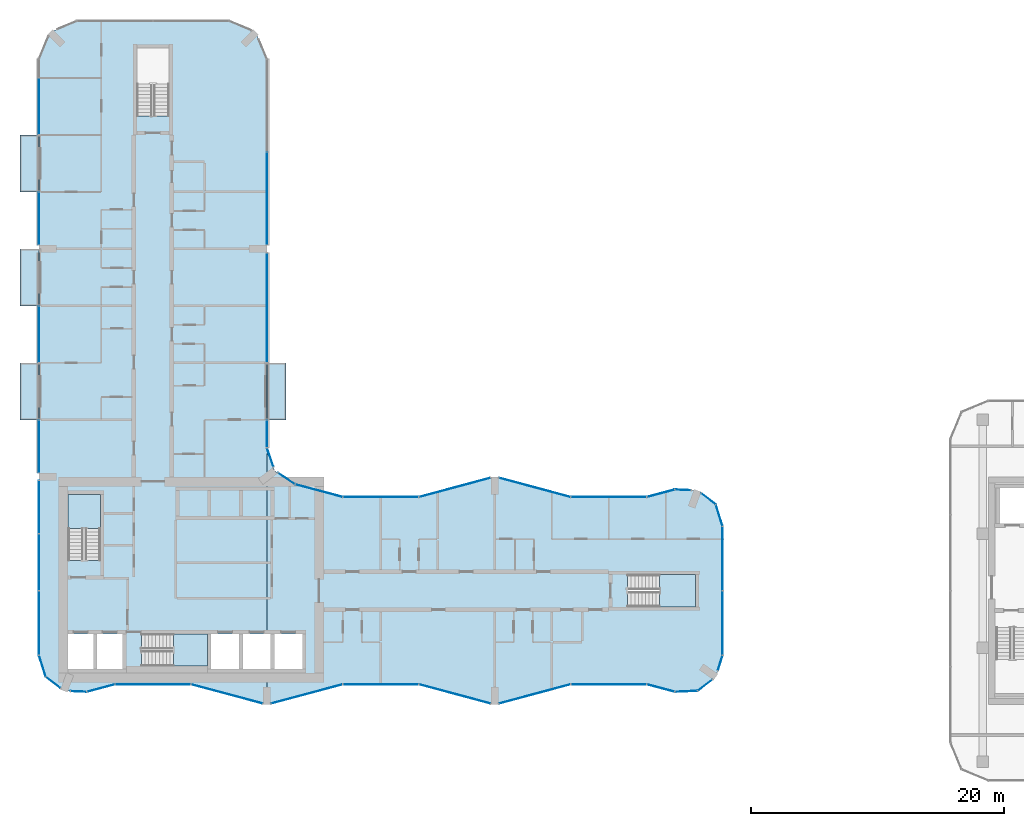
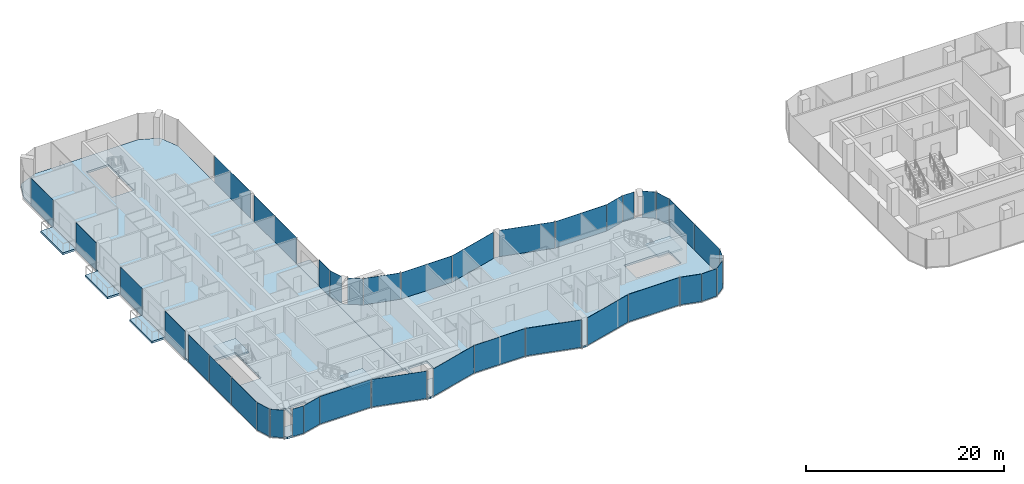
# One storey, part 11 of 22: 38 plates, 9 slabs, 38 elements without a shape of their own.
"""IFC4 building model written with IfcOpenShell, lengths in metres."""

from ifc_helpers import new_model, si_unit, direction, frame, origin, origin_2d, place, context, subcontext, project, spatial, polyline, rectangle, outline, extrude, material, layer, layer_set, type_object, element, aggregate, save


model = new_model("IFC4")

# Units and contexts
model_context = context("Model", 3, precision=1e-05, world=origin(), true_north=direction((0.0, 1.0)))
body_context = subcontext(model_context, "Body", "Model", "MODEL_VIEW")
ifc_project = project(units=[si_unit("LENGTHUNIT", "METRE"), si_unit("AREAUNIT", "SQUARE_METRE"), si_unit("VOLUMEUNIT", "CUBIC_METRE"), si_unit("PLANEANGLEUNIT", "RADIAN"), si_unit("MASSUNIT", "GRAM", prefix="KILO")], contexts=[model_context])

# Site, building, storey
site_placement = place(None, origin())
site = spatial("IfcSite", under=ifc_project, at=site_placement, CompositionType="ELEMENT")
building_placement = place(site_placement, origin())
building = spatial("IfcBuilding", under=site, at=building_placement, Name="Plateau Cross Towers", CompositionType="ELEMENT")
storey_placement = place(building_placement, frame((0.0, 0.0, 58.300048828125)))
storey = spatial("IfcBuildingStorey", under=building, at=storey_placement, Name="L14", CompositionType="ELEMENT", Elevation=58.300048828125)

# Slabs
ifc_material_1 = material(Name="Concrete C40/50", Category="concrete")
ifc_layer_1 = layer(ifc_material_1, 0.25)
ifc_layer_set_1 = layer_set([ifc_layer_1], Name="Concrete C40/50")
slab_type_1 = type_object("IfcSlabType", Name="Balcony slab 250", PredefinedType="FLOOR", material=ifc_layer_set_1)
slab_1_placement = place(storey_placement, frame((0.0, 0.0, -0.25)))
element("IfcSlab", 1, at=slab_1_placement, inside=storey, type_object=slab_type_1, Name="Balcony slab A-BAL-L14-01", PredefinedType="FLOOR", context=body_context, shape_type="SweptSolid", body=[
    extrude(outline(polyline([(0.0, 22.5), (0.0, 27.0), (-1.5, 27.0), (-1.5, 22.5), (0.0, 22.5)])), origin(), (0.0, 0.0, 1.0), 0.25),
])
slab_2_placement = place(storey_placement, frame((0.0, 0.0, -0.25)))
element("IfcSlab", 2, at=slab_2_placement, inside=storey, type_object=slab_type_1, Name="Balcony slab A-BAL-L14-02", PredefinedType="FLOOR", context=body_context, shape_type="SweptSolid", body=[
    extrude(outline(polyline([(0.0, 31.5), (0.0, 36.0), (-1.5, 36.0), (-1.5, 31.5), (0.0, 31.5)])), origin(), (0.0, 0.0, 1.0), 0.25),
])
slab_3_placement = place(storey_placement, frame((0.0, 0.0, -0.25)))
element("IfcSlab", 3, at=slab_3_placement, inside=storey, type_object=slab_type_1, Name="Balcony slab A-BAL-L14-03", PredefinedType="FLOOR", context=body_context, shape_type="SweptSolid", body=[
    extrude(outline(polyline([(0.0, 40.5), (0.0, 45.0), (-1.5, 45.0), (-1.5, 40.5), (0.0, 40.5)])), origin(), (0.0, 0.0, 1.0), 0.25),
])
slab_4_placement = place(storey_placement, frame((0.0, 0.0, -0.25)))
element("IfcSlab", 4, at=slab_4_placement, inside=storey, type_object=slab_type_1, Name="Balcony slab A-BAL-L14-04", PredefinedType="FLOOR", context=body_context, shape_type="SweptSolid", body=[
    extrude(outline(polyline([(19.5, 22.5), (19.5, 27.0), (18.0, 27.0), (18.0, 22.5), (19.5, 22.5)])), origin(), (0.0, 0.0, 1.0), 0.25),
])

# Curtain wall, plate
ifc_material_2 = material(Name="Dark low-iron glass", Category="glass")
ifc_layer_2 = layer(ifc_material_2, 0.239990234375)
ifc_layer_set_2 = layer_set([ifc_layer_2], Name="Dark low-iron glass")
curtain_wall_type_1 = type_object("IfcCurtainWallType", Name="Curtain wall flush unitised CW-B", PredefinedType="NOTDEFINED", material=ifc_layer_set_2)
curtain_wall_1_placement = place(storey_placement, origin())
curtain_wall_1 = element("IfcCurtainWall", 5, at=curtain_wall_1_placement, inside=storey, type_object=curtain_wall_type_1, Name="ENV/A/L14/A502_10", PredefinedType="NOTDEFINED")
ifc_layer_3 = layer(ifc_material_2, 0.031982421875)
ifc_layer_set_3 = layer_set([ifc_layer_3], Name="Dark low-iron glass")
plate_type_1 = type_object("IfcPlateType", Name="Glass panel 32 flush unitised", PredefinedType="CURTAIN_PANEL", material=ifc_layer_set_3)
plate_1_placement = place(storey_placement, frame((51.125, 1.05078125, -0.1298828125), z_axis=(0.0, 0.0, 1.0), x_axis=(0.999043701491, 0.043722791671, 0.0)))
plate_1 = element("IfcPlate", 6, at=plate_1_placement, type_object=plate_type_1, Name="CW-B panel 1", PredefinedType="CURTAIN_PANEL", context=body_context, shape_type="SweptSolid", body=[
    extrude(rectangle(XDim=1.744140625, YDim=0.031982421875, at=origin_2d()), origin(), (0.0, 0.0, 1.0), 3.3798828125),
])
aggregate(curtain_wall_1, [plate_1])

curtain_wall_2_placement = place(storey_placement, origin())
curtain_wall_2 = element("IfcCurtainWall", 7, at=curtain_wall_2_placement, inside=storey, type_object=curtain_wall_type_1, Name="ENV/A/L14/A520_11", PredefinedType="NOTDEFINED")
plate_2_placement = place(storey_placement, frame((52.60986328125, 1.5380859375, -0.1298828125), z_axis=(0.0, 0.0, 1.0), x_axis=(0.793315514529, 0.608810721331, 0.0)))
plate_2 = element("IfcPlate", 8, at=plate_2_placement, type_object=plate_type_1, Name="CW-B panel 1", PredefinedType="CURTAIN_PANEL", context=body_context, shape_type="SweptSolid", body=[
    extrude(rectangle(XDim=1.41162109375, YDim=0.031982421875, at=origin_2d()), origin(), (0.0, 0.0, 1.0), 3.3798828125),
])
aggregate(curtain_wall_2, [plate_2])

curtain_wall_3_placement = place(storey_placement, origin())
curtain_wall_3 = element("IfcCurtainWall", 9, at=curtain_wall_3_placement, inside=storey, type_object=curtain_wall_type_1, Name="ENV/A/L14/A536_27", PredefinedType="NOTDEFINED")
plate_3_placement = place(storey_placement, frame((53.805419921875, 3.292236328125, -0.1298828125), z_axis=(0.0, 0.0, 1.0), x_axis=(0.300686174994, 0.95372313811, 0.0)))
plate_3 = element("IfcPlate", 10, at=plate_3_placement, type_object=plate_type_1, Name="CW-B panel 1", PredefinedType="CURTAIN_PANEL", context=body_context, shape_type="SweptSolid", body=[
    extrude(rectangle(XDim=1.233642578125, YDim=0.031982421875, at=origin_2d()), origin(), (0.0, 0.0, 1.0), 3.3798828125),
])
aggregate(curtain_wall_3, [plate_3])

# Curtain wall, plates
curtain_wall_4_placement = place(storey_placement, origin())
curtain_wall_4 = element("IfcCurtainWall", 11, at=curtain_wall_4_placement, inside=storey, type_object=curtain_wall_type_1, Name="ENV/A/L14/A540_39", PredefinedType="NOTDEFINED")
plate_4_placement = place(storey_placement, frame((54.0, 6.45458984375, -0.1298828125), z_axis=(0.0, 0.0, 1.0), x_axis=(0.0, 1.0, 0.0)))
plate_4 = element("IfcPlate", 12, at=plate_4_placement, type_object=plate_type_1, Name="CW-B panel 1", PredefinedType="CURTAIN_PANEL", context=body_context, shape_type="SweptSolid", body=[
    extrude(rectangle(XDim=5.03076171875, YDim=0.031982421875, at=origin_2d()), origin(), (0.0, 0.0, 1.0), 3.3798828125),
])
plate_5_placement = place(storey_placement, frame((54.0, 11.54541015625, -0.1298828125), z_axis=(0.0, 0.0, 1.0), x_axis=(0.0, 1.0, 0.0)))
plate_5 = element("IfcPlate", 13, at=plate_5_placement, type_object=plate_type_1, Name="CW-B panel 2", PredefinedType="CURTAIN_PANEL", context=body_context, shape_type="SweptSolid", body=[
    extrude(rectangle(XDim=5.03076171875, YDim=0.031982421875, at=origin_2d()), origin(), (0.0, 0.0, 1.0), 3.3798828125),
])
aggregate(curtain_wall_4, [plate_4, plate_5])

# Curtain wall, plate
curtain_wall_5_placement = place(storey_placement, origin())
curtain_wall_5 = element("IfcCurtainWall", 14, at=curtain_wall_5_placement, inside=storey, type_object=curtain_wall_type_1, Name="ENV/A/L14/A540_141", PredefinedType="NOTDEFINED")
plate_6_placement = place(storey_placement, frame((53.728759765625, 14.951171875, -0.1298828125), z_axis=(0.0, 0.0, 1.0), x_axis=(-0.300686174994, 0.95372313811, 0.0)))
plate_6 = element("IfcPlate", 15, at=plate_6_placement, type_object=plate_type_1, Name="CW-B panel 1", PredefinedType="CURTAIN_PANEL", context=body_context, shape_type="SweptSolid", body=[
    extrude(rectangle(XDim=1.744140625, YDim=0.031982421875, at=origin_2d()), origin(), (0.0, 0.0, 1.0), 3.3798828125),
])
aggregate(curtain_wall_5, [plate_6])

curtain_wall_6_placement = place(storey_placement, origin())
curtain_wall_6 = element("IfcCurtainWall", 16, at=curtain_wall_6_placement, inside=storey, type_object=curtain_wall_type_1, Name="ENV/A/L14/A535_158", PredefinedType="NOTDEFINED")
plate_7_placement = place(storey_placement, frame((52.873779296875, 16.25927734375, -0.1298828125), z_axis=(0.0, 0.0, 1.0), x_axis=(-0.793315514529, 0.608810721331, 0.0)))
plate_7 = element("IfcPlate", 17, at=plate_7_placement, type_object=plate_type_1, Name="CW-B panel 1", PredefinedType="CURTAIN_PANEL", context=body_context, shape_type="SweptSolid", body=[
    extrude(rectangle(XDim=1.41162109375, YDim=0.031982421875, at=origin_2d()), origin(), (0.0, 0.0, 1.0), 3.3798828125),
])
aggregate(curtain_wall_6, [plate_7])

curtain_wall_7_placement = place(storey_placement, origin())
curtain_wall_7 = element("IfcCurtainWall", 18, at=curtain_wall_7_placement, inside=storey, type_object=curtain_wall_type_1, Name="ENV/A/L14/A515_169", PredefinedType="NOTDEFINED")
plate_8_placement = place(storey_placement, frame((50.8701171875, 16.96044921875, -0.1298828125), z_axis=(0.0, 0.0, 1.0), x_axis=(-0.999043701491, 0.043722791671, 0.0)))
plate_8 = element("IfcPlate", 19, at=plate_8_placement, type_object=plate_type_1, Name="CW-B panel 1", PredefinedType="CURTAIN_PANEL", context=body_context, shape_type="SweptSolid", body=[
    extrude(rectangle(XDim=1.233642578125, YDim=0.031982421875, at=origin_2d()), origin(), (0.0, 0.0, 1.0), 3.3798828125),
])
aggregate(curtain_wall_7, [plate_8])

curtain_wall_8_placement = place(storey_placement, origin())
curtain_wall_8 = element("IfcCurtainWall", 20, at=curtain_wall_8_placement, inside=storey, type_object=curtain_wall_type_1, Name="ENV/A/L14/A202_174", PredefinedType="NOTDEFINED")
plate_9_placement = place(storey_placement, frame((19.546630859375, 17.856689453125, -0.1298828125), z_axis=(0.0, 0.0, 1.0), x_axis=(-0.831521253329, 0.555492938984, 0.0)))
plate_9 = element("IfcPlate", 21, at=plate_9_placement, type_object=plate_type_1, Name="CW-B panel 1", PredefinedType="CURTAIN_PANEL", context=body_context, shape_type="SweptSolid", body=[
    extrude(rectangle(XDim=1.56884765625, YDim=0.031982421875, at=origin_2d()), origin(), (0.0, 0.0, 1.0), 3.3798828125),
])
aggregate(curtain_wall_8, [plate_9])

curtain_wall_9_placement = place(storey_placement, origin())
curtain_wall_9 = element("IfcCurtainWall", 22, at=curtain_wall_9_placement, inside=storey, type_object=curtain_wall_type_1, Name="ENV/A/L14/A185_188", PredefinedType="NOTDEFINED")
plate_10_placement = place(storey_placement, frame((18.26171875, 19.531005859375, -0.1298828125), z_axis=(0.0, 0.0, 1.0), x_axis=(-0.321469161574, 0.94692004845, 0.0)))
plate_10 = element("IfcPlate", 23, at=plate_10_placement, type_object=plate_type_1, Name="CW-B panel 1", PredefinedType="CURTAIN_PANEL", context=body_context, shape_type="SweptSolid", body=[
    extrude(rectangle(XDim=1.56884765625, YDim=0.031982421875, at=origin_2d()), origin(), (0.0, 0.0, 1.0), 3.3798828125),
])
aggregate(curtain_wall_9, [plate_10])

curtain_wall_10_placement = place(storey_placement, origin())
curtain_wall_10 = element("IfcCurtainWall", 24, at=curtain_wall_10_placement, inside=storey, type_object=curtain_wall_type_1, Name="ENV/A/L14/A180_203", PredefinedType="NOTDEFINED")
plate_11_placement = place(storey_placement, frame((18.0, 21.396240234375, -0.1298828125), z_axis=(0.0, 0.0, 1.0), x_axis=(0.0, 1.0, 0.0)))
plate_11 = element("IfcPlate", 25, at=plate_11_placement, type_object=plate_type_1, Name="CW-B panel 1", PredefinedType="CURTAIN_PANEL", context=body_context, shape_type="SweptSolid", body=[
    extrude(rectangle(XDim=2.127685546875, YDim=0.031982421875, at=origin_2d()), origin(), (0.0, 0.0, 1.0), 3.3798828125),
])
aggregate(curtain_wall_10, [plate_11])

curtain_wall_11_placement = place(storey_placement, origin())
curtain_wall_11 = element("IfcCurtainWall", 26, at=curtain_wall_11_placement, inside=storey, type_object=curtain_wall_type_1, Name="ENV/A/L14/A180_270", PredefinedType="NOTDEFINED")
plate_12_placement = place(storey_placement, frame((18.0, 31.35498046875, -0.1298828125), z_axis=(0.0, 0.0, 1.0), x_axis=(0.0, 1.0, 0.0)))
plate_12 = element("IfcPlate", 27, at=plate_12_placement, type_object=plate_type_1, Name="CW-B panel 1", PredefinedType="CURTAIN_PANEL", context=body_context, shape_type="SweptSolid", body=[
    extrude(rectangle(XDim=8.6298828125, YDim=0.031982421875, at=origin_2d()), origin(), (0.0, 0.0, 1.0), 3.3798828125),
])
aggregate(curtain_wall_11, [plate_12])

curtain_wall_12_placement = place(storey_placement, origin())
curtain_wall_12 = element("IfcCurtainWall", 28, at=curtain_wall_12_placement, inside=storey, type_object=curtain_wall_type_1, Name="ENV/A/L14/A180_363", PredefinedType="NOTDEFINED")
plate_13_placement = place(storey_placement, frame((18.0, 39.97509765625, -0.1298828125), z_axis=(0.0, 0.0, 1.0), x_axis=(0.0, 1.0, 0.0)))
plate_13 = element("IfcPlate", 29, at=plate_13_placement, type_object=plate_type_1, Name="CW-B panel 1", PredefinedType="CURTAIN_PANEL", context=body_context, shape_type="SweptSolid", body=[
    extrude(rectangle(XDim=7.2900390625, YDim=0.031982421875, at=origin_2d()), origin(), (0.0, 0.0, 1.0), 3.3798828125),
])
aggregate(curtain_wall_12, [plate_13])

curtain_wall_13_placement = place(storey_placement, origin())
curtain_wall_13 = element("IfcCurtainWall", 30, at=curtain_wall_13_placement, inside=storey, type_object=curtain_wall_type_1, Name="ENV/A/L14/A0_510", PredefinedType="NOTDEFINED")
plate_14_placement = place(storey_placement, frame((0.0, 47.2548828125, -0.1298828125), z_axis=(0.0, 0.0, 1.0), x_axis=(0.0, -1.0, 0.0)))
plate_14 = element("IfcPlate", 31, at=plate_14_placement, type_object=plate_type_1, Name="CW-B panel 2", PredefinedType="CURTAIN_PANEL", context=body_context, shape_type="SweptSolid", body=[
    extrude(rectangle(XDim=4.429931640625, YDim=0.031982421875, at=origin_2d()), origin(), (0.0, 0.0, 1.0), 3.3798828125),
])
aggregate(curtain_wall_13, [plate_14])

curtain_wall_14_placement = place(storey_placement, origin())
curtain_wall_14 = element("IfcCurtainWall", 32, at=curtain_wall_14_placement, inside=storey, type_object=curtain_wall_type_1, Name="ENV/A/L14/A0_405", PredefinedType="NOTDEFINED")
plate_15_placement = place(storey_placement, frame((0.0, 38.39501953125, -0.1298828125), z_axis=(0.0, 0.0, 1.0), x_axis=(0.0, -1.0, 0.0)))
plate_15 = element("IfcPlate", 33, at=plate_15_placement, type_object=plate_type_1, Name="CW-B panel 1", PredefinedType="CURTAIN_PANEL", context=body_context, shape_type="SweptSolid", body=[
    extrude(rectangle(XDim=4.1298828125, YDim=0.031982421875, at=origin_2d()), origin(), (0.0, 0.0, 1.0), 3.3798828125),
])
aggregate(curtain_wall_14, [plate_15])

curtain_wall_15_placement = place(storey_placement, origin())
curtain_wall_15 = element("IfcCurtainWall", 34, at=curtain_wall_15_placement, inside=storey, type_object=curtain_wall_type_1, Name="ENV/A/L14/A0_315", PredefinedType="NOTDEFINED")
plate_16_placement = place(storey_placement, frame((0.0, 29.25, -0.1298828125), z_axis=(0.0, 0.0, 1.0), x_axis=(0.0, -1.0, 0.0)))
plate_16 = element("IfcPlate", 35, at=plate_16_placement, type_object=plate_type_1, Name="CW-B panel 1", PredefinedType="CURTAIN_PANEL", context=body_context, shape_type="SweptSolid", body=[
    extrude(rectangle(XDim=4.419921875, YDim=0.031982421875, at=origin_2d()), origin(), (0.0, 0.0, 1.0), 3.3798828125),
])
aggregate(curtain_wall_15, [plate_16])

curtain_wall_16_placement = place(storey_placement, origin())
curtain_wall_16 = element("IfcCurtainWall", 36, at=curtain_wall_16_placement, inside=storey, type_object=curtain_wall_type_1, Name="ENV/A/L14/A0_225", PredefinedType="NOTDEFINED")
plate_17_placement = place(storey_placement, frame((0.0, 20.39501953125, -0.1298828125), z_axis=(0.0, 0.0, 1.0), x_axis=(0.0, -1.0, 0.0)))
plate_17 = element("IfcPlate", 37, at=plate_17_placement, type_object=plate_type_1, Name="CW-B panel 1", PredefinedType="CURTAIN_PANEL", context=body_context, shape_type="SweptSolid", body=[
    extrude(rectangle(XDim=4.1298828125, YDim=0.031982421875, at=origin_2d()), origin(), (0.0, 0.0, 1.0), 3.3798828125),
])
aggregate(curtain_wall_16, [plate_17])

# Curtain wall, plates
curtain_wall_17_placement = place(storey_placement, origin())
curtain_wall_17 = element("IfcCurtainWall", 38, at=curtain_wall_17_placement, inside=storey, type_object=curtain_wall_type_1, Name="ENV/A/L14/A0_177", PredefinedType="NOTDEFINED")
plate_18_placement = place(storey_placement, frame((0.0, 15.60009765625, -0.1298828125), z_axis=(0.0, 0.0, 1.0), x_axis=(0.0, -1.0, 0.0)))
plate_18 = element("IfcPlate", 39, at=plate_18_placement, type_object=plate_type_1, Name="CW-B panel 1", PredefinedType="CURTAIN_PANEL", context=body_context, shape_type="SweptSolid", body=[
    extrude(rectangle(XDim=4.139892578125, YDim=0.031982421875, at=origin_2d()), origin(), (0.0, 0.0, 1.0), 3.3798828125),
])
plate_19_placement = place(storey_placement, frame((0.0, 11.25, -0.1298828125), z_axis=(0.0, 0.0, 1.0), x_axis=(0.0, -1.0, 0.0)))
plate_19 = element("IfcPlate", 40, at=plate_19_placement, type_object=plate_type_1, Name="CW-B panel 2", PredefinedType="CURTAIN_PANEL", context=body_context, shape_type="SweptSolid", body=[
    extrude(rectangle(XDim=4.43994140625, YDim=0.031982421875, at=origin_2d()), origin(), (0.0, 0.0, 1.0), 3.3798828125),
])
plate_20_placement = place(storey_placement, frame((0.0, 6.45458984375, -0.1298828125), z_axis=(0.0, 0.0, 1.0), x_axis=(0.0, -1.0, 0.0)))
plate_20 = element("IfcPlate", 41, at=plate_20_placement, type_object=plate_type_1, Name="CW-B panel 3", PredefinedType="CURTAIN_PANEL", context=body_context, shape_type="SweptSolid", body=[
    extrude(rectangle(XDim=5.03076171875, YDim=0.031982421875, at=origin_2d()), origin(), (0.0, 0.0, 1.0), 3.3798828125),
])
aggregate(curtain_wall_17, [plate_18, plate_19, plate_20])

# Curtain wall, plate
curtain_wall_18_placement = place(storey_placement, origin())
curtain_wall_18 = element("IfcCurtainWall", 42, at=curtain_wall_18_placement, inside=storey, type_object=curtain_wall_type_1, Name="ENV/A/L14/A0_39", PredefinedType="NOTDEFINED")
plate_21_placement = place(storey_placement, frame((0.271240234375, 3.048828125, -0.1298828125), z_axis=(0.0, 0.0, 1.0), x_axis=(0.300686174994, -0.95372313811, 0.0)))
plate_21 = element("IfcPlate", 43, at=plate_21_placement, type_object=plate_type_1, Name="CW-B panel 1", PredefinedType="CURTAIN_PANEL", context=body_context, shape_type="SweptSolid", body=[
    extrude(rectangle(XDim=1.744140625, YDim=0.031982421875, at=origin_2d()), origin(), (0.0, 0.0, 1.0), 3.3798828125),
])
aggregate(curtain_wall_18, [plate_21])

curtain_wall_19_placement = place(storey_placement, origin())
curtain_wall_19 = element("IfcCurtainWall", 44, at=curtain_wall_19_placement, inside=storey, type_object=curtain_wall_type_1, Name="ENV/A/L14/A5_22", PredefinedType="NOTDEFINED")
plate_22_placement = place(storey_placement, frame((1.126220703125, 1.74072265625, -0.1298828125), z_axis=(0.0, 0.0, 1.0), x_axis=(0.793315514529, -0.608810721331, 0.0)))
plate_22 = element("IfcPlate", 45, at=plate_22_placement, type_object=plate_type_1, Name="CW-B panel 1", PredefinedType="CURTAIN_PANEL", context=body_context, shape_type="SweptSolid", body=[
    extrude(rectangle(XDim=1.41162109375, YDim=0.031982421875, at=origin_2d()), origin(), (0.0, 0.0, 1.0), 3.3798828125),
])
aggregate(curtain_wall_19, [plate_22])

curtain_wall_20_placement = place(storey_placement, origin())
curtain_wall_20 = element("IfcCurtainWall", 46, at=curtain_wall_20_placement, inside=storey, type_object=curtain_wall_type_1, Name="ENV/A/L14/A25_11", PredefinedType="NOTDEFINED")
plate_23_placement = place(storey_placement, frame((3.1298828125, 1.03955078125, -0.1298828125), z_axis=(0.0, 0.0, 1.0), x_axis=(0.999043701491, -0.043722791671, 0.0)))
plate_23 = element("IfcPlate", 47, at=plate_23_placement, type_object=plate_type_1, Name="CW-B panel 1", PredefinedType="CURTAIN_PANEL", context=body_context, shape_type="SweptSolid", body=[
    extrude(rectangle(XDim=1.233642578125, YDim=0.031982421875, at=origin_2d()), origin(), (0.0, 0.0, 1.0), 3.3798828125),
])
aggregate(curtain_wall_20, [plate_23])

ifc_layer_4 = layer(ifc_material_2, 0.260009765625)
ifc_layer_set_4 = layer_set([ifc_layer_4], Name="Dark low-iron glass")
curtain_wall_type_2 = type_object("IfcCurtainWallType", Name="Curtain wall fluted unitised CW-A", PredefinedType="NOTDEFINED", material=ifc_layer_set_4)
curtain_wall_21_placement = place(storey_placement, origin())
curtain_wall_21 = element("IfcCurtainWall", 48, at=curtain_wall_21_placement, inside=storey, type_object=curtain_wall_type_2, Name="ENV/A/L14/A38_10", PredefinedType="NOTDEFINED")
ifc_layer_5 = layer(ifc_material_2, 0.035888671875)
ifc_layer_set_5 = layer_set([ifc_layer_5], Name="Dark low-iron glass")
plate_type_2 = type_object("IfcPlateType", Name="Glass panel 36 fluted unitised", PredefinedType="CURTAIN_PANEL", material=ifc_layer_set_5)
plate_24_placement = place(storey_placement, frame((4.887939453125, 1.30908203125, -0.1298828125), z_axis=(0.0, 0.0, 1.0), x_axis=(0.965957962328, 0.258699081978, 0.0)))
plate_24 = element("IfcPlate", 49, at=plate_24_placement, type_object=plate_type_2, Name="CW-A panel 1", PredefinedType="CURTAIN_PANEL", context=body_context, shape_type="SweptSolid", body=[
    extrude(rectangle(XDim=2.2421875, YDim=0.035888671875, at=origin_2d()), origin(), (0.0, 0.0, 1.0), 3.3798828125),
])
aggregate(curtain_wall_21, [plate_24])

curtain_wall_22_placement = place(storey_placement, origin())
curtain_wall_22 = element("IfcCurtainWall", 50, at=curtain_wall_22_placement, inside=storey, type_object=curtain_wall_type_2, Name="ENV/A/L14/A60_16", PredefinedType="NOTDEFINED")
plate_25_placement = place(storey_placement, frame((9.0, 1.60693359375, -0.1298828125), z_axis=(0.0, 0.0, 1.0), x_axis=(1.0, 0.0, 0.0)))
plate_25 = element("IfcPlate", 51, at=plate_25_placement, type_object=plate_type_2, Name="CW-A panel 1", PredefinedType="CURTAIN_PANEL", context=body_context, shape_type="SweptSolid", body=[
    extrude(rectangle(XDim=5.93994140625, YDim=0.035888671875, at=origin_2d()), origin(), (0.0, 0.0, 1.0), 3.3798828125),
])
aggregate(curtain_wall_22, [plate_25])

curtain_wall_23_placement = place(storey_placement, origin())
curtain_wall_23 = element("IfcCurtainWall", 52, at=curtain_wall_23_placement, inside=storey, type_object=curtain_wall_type_2, Name="ENV/A/L14/A120_16", PredefinedType="NOTDEFINED")
plate_26_placement = place(storey_placement, frame((14.841064453125, 0.845947265625, -0.1298828125), z_axis=(0.0, 0.0, 1.0), x_axis=(0.965957983404, -0.258699003279, 0.0)))
plate_26 = element("IfcPlate", 53, at=plate_26_placement, type_object=plate_type_2, Name="CW-A panel 1", PredefinedType="CURTAIN_PANEL", context=body_context, shape_type="SweptSolid", body=[
    extrude(rectangle(XDim=5.822265625, YDim=0.035888671875, at=origin_2d()), origin(), (0.0, 0.0, 1.0), 3.3798828125),
])
aggregate(curtain_wall_23, [plate_26])

curtain_wall_24_placement = place(storey_placement, origin())
curtain_wall_24 = element("IfcCurtainWall", 54, at=curtain_wall_24_placement, inside=storey, type_object=curtain_wall_type_2, Name="ENV/A/L14/A183_1", PredefinedType="NOTDEFINED")
plate_27_placement = place(storey_placement, frame((21.158935546875, 0.845947265625, -0.1298828125), z_axis=(0.0, 0.0, 1.0), x_axis=(0.965957983404, 0.258699003279, 0.0)))
plate_27 = element("IfcPlate", 55, at=plate_27_placement, type_object=plate_type_2, Name="CW-A panel 1", PredefinedType="CURTAIN_PANEL", context=body_context, shape_type="SweptSolid", body=[
    extrude(rectangle(XDim=5.822265625, YDim=0.035888671875, at=origin_2d()), origin(), (0.0, 0.0, 1.0), 3.3798828125),
])
aggregate(curtain_wall_24, [plate_27])

curtain_wall_25_placement = place(storey_placement, origin())
curtain_wall_25 = element("IfcCurtainWall", 56, at=curtain_wall_25_placement, inside=storey, type_object=curtain_wall_type_2, Name="ENV/A/L14/A240_16", PredefinedType="NOTDEFINED")
plate_28_placement = place(storey_placement, frame((27.0, 1.60693359375, -0.1298828125), z_axis=(0.0, 0.0, 1.0), x_axis=(1.0, 0.0, 0.0)))
plate_28 = element("IfcPlate", 57, at=plate_28_placement, type_object=plate_type_2, Name="CW-A panel 1", PredefinedType="CURTAIN_PANEL", context=body_context, shape_type="SweptSolid", body=[
    extrude(rectangle(XDim=5.93994140625, YDim=0.035888671875, at=origin_2d()), origin(), (0.0, 0.0, 1.0), 3.3798828125),
])
aggregate(curtain_wall_25, [plate_28])

curtain_wall_26_placement = place(storey_placement, origin())
curtain_wall_26 = element("IfcCurtainWall", 58, at=curtain_wall_26_placement, inside=storey, type_object=curtain_wall_type_2, Name="ENV/A/L14/A300_16", PredefinedType="NOTDEFINED")
plate_29_placement = place(storey_placement, frame((32.841064453125, 0.845947265625, -0.1298828125), z_axis=(0.0, 0.0, 1.0), x_axis=(0.965957983404, -0.258699003279, 0.0)))
plate_29 = element("IfcPlate", 59, at=plate_29_placement, type_object=plate_type_2, Name="CW-A panel 1", PredefinedType="CURTAIN_PANEL", context=body_context, shape_type="SweptSolid", body=[
    extrude(rectangle(XDim=5.822265625, YDim=0.035888671875, at=origin_2d()), origin(), (0.0, 0.0, 1.0), 3.3798828125),
])
aggregate(curtain_wall_26, [plate_29])

curtain_wall_27_placement = place(storey_placement, origin())
curtain_wall_27 = element("IfcCurtainWall", 60, at=curtain_wall_27_placement, inside=storey, type_object=curtain_wall_type_2, Name="ENV/A/L14/A363_1", PredefinedType="NOTDEFINED")
plate_30_placement = place(storey_placement, frame((39.158935546875, 0.845947265625, -0.1298828125), z_axis=(0.0, 0.0, 1.0), x_axis=(0.965957983404, 0.258699003279, 0.0)))
plate_30 = element("IfcPlate", 61, at=plate_30_placement, type_object=plate_type_2, Name="CW-A panel 1", PredefinedType="CURTAIN_PANEL", context=body_context, shape_type="SweptSolid", body=[
    extrude(rectangle(XDim=5.822265625, YDim=0.035888671875, at=origin_2d()), origin(), (0.0, 0.0, 1.0), 3.3798828125),
])
aggregate(curtain_wall_27, [plate_30])

curtain_wall_28_placement = place(storey_placement, origin())
curtain_wall_28 = element("IfcCurtainWall", 62, at=curtain_wall_28_placement, inside=storey, type_object=curtain_wall_type_2, Name="ENV/A/L14/A420_16", PredefinedType="NOTDEFINED")
plate_31_placement = place(storey_placement, frame((45.0, 1.60693359375, -0.1298828125), z_axis=(0.0, 0.0, 1.0), x_axis=(1.0, 0.0, 0.0)))
plate_31 = element("IfcPlate", 63, at=plate_31_placement, type_object=plate_type_2, Name="CW-A panel 1", PredefinedType="CURTAIN_PANEL", context=body_context, shape_type="SweptSolid", body=[
    extrude(rectangle(XDim=5.93994140625, YDim=0.035888671875, at=origin_2d()), origin(), (0.0, 0.0, 1.0), 3.3798828125),
])
aggregate(curtain_wall_28, [plate_31])

curtain_wall_29_placement = place(storey_placement, origin())
curtain_wall_29 = element("IfcCurtainWall", 64, at=curtain_wall_29_placement, inside=storey, type_object=curtain_wall_type_2, Name="ENV/A/L14/A480_16", PredefinedType="NOTDEFINED")
plate_32_placement = place(storey_placement, frame((49.112060546875, 1.30908203125, -0.1298828125), z_axis=(0.0, 0.0, 1.0), x_axis=(0.965957962328, -0.258699081978, 0.0)))
plate_32 = element("IfcPlate", 65, at=plate_32_placement, type_object=plate_type_2, Name="CW-A panel 1", PredefinedType="CURTAIN_PANEL", context=body_context, shape_type="SweptSolid", body=[
    extrude(rectangle(XDim=2.2421875, YDim=0.035888671875, at=origin_2d()), origin(), (0.0, 0.0, 1.0), 3.3798828125),
])
aggregate(curtain_wall_29, [plate_32])

curtain_wall_30_placement = place(storey_placement, origin())
curtain_wall_30 = element("IfcCurtainWall", 66, at=curtain_wall_30_placement, inside=storey, type_object=curtain_wall_type_2, Name="ENV/A/L14/A502_170", PredefinedType="NOTDEFINED")
plate_33_placement = place(storey_placement, frame((49.112060546875, 16.69091796875, -0.1298828125), z_axis=(0.0, 0.0, 1.0), x_axis=(-0.965957962328, -0.258699081978, 0.0)))
plate_33 = element("IfcPlate", 67, at=plate_33_placement, type_object=plate_type_2, Name="CW-A panel 1", PredefinedType="CURTAIN_PANEL", context=body_context, shape_type="SweptSolid", body=[
    extrude(rectangle(XDim=2.2421875, YDim=0.035888671875, at=origin_2d()), origin(), (0.0, 0.0, 1.0), 3.3798828125),
])
aggregate(curtain_wall_30, [plate_33])

curtain_wall_31_placement = place(storey_placement, origin())
curtain_wall_31 = element("IfcCurtainWall", 68, at=curtain_wall_31_placement, inside=storey, type_object=curtain_wall_type_2, Name="ENV/A/L14/A480_164", PredefinedType="NOTDEFINED")
plate_34_placement = place(storey_placement, frame((45.0, 16.39306640625, -0.1298828125), z_axis=(0.0, 0.0, 1.0), x_axis=(-1.0, 0.0, 0.0)))
plate_34 = element("IfcPlate", 69, at=plate_34_placement, type_object=plate_type_2, Name="CW-A panel 1", PredefinedType="CURTAIN_PANEL", context=body_context, shape_type="SweptSolid", body=[
    extrude(rectangle(XDim=5.93994140625, YDim=0.035888671875, at=origin_2d()), origin(), (0.0, 0.0, 1.0), 3.3798828125),
])
aggregate(curtain_wall_31, [plate_34])

curtain_wall_32_placement = place(storey_placement, origin())
curtain_wall_32 = element("IfcCurtainWall", 70, at=curtain_wall_32_placement, inside=storey, type_object=curtain_wall_type_2, Name="ENV/A/L14/A420_164", PredefinedType="NOTDEFINED")
plate_35_placement = place(storey_placement, frame((39.158935546875, 17.154052734375, -0.1298828125), z_axis=(0.0, 0.0, 1.0), x_axis=(-0.965957983404, 0.258699003279, 0.0)))
plate_35 = element("IfcPlate", 71, at=plate_35_placement, type_object=plate_type_2, Name="CW-A panel 1", PredefinedType="CURTAIN_PANEL", context=body_context, shape_type="SweptSolid", body=[
    extrude(rectangle(XDim=5.822265625, YDim=0.035888671875, at=origin_2d()), origin(), (0.0, 0.0, 1.0), 3.3798828125),
])
aggregate(curtain_wall_32, [plate_35])

curtain_wall_33_placement = place(storey_placement, origin())
curtain_wall_33 = element("IfcCurtainWall", 72, at=curtain_wall_33_placement, inside=storey, type_object=curtain_wall_type_2, Name="ENV/A/L14/A357_179", PredefinedType="NOTDEFINED")
plate_36_placement = place(storey_placement, frame((32.841064453125, 17.154052734375, -0.1298828125), z_axis=(0.0, 0.0, 1.0), x_axis=(-0.965957983404, -0.258699003279, 0.0)))
plate_36 = element("IfcPlate", 73, at=plate_36_placement, type_object=plate_type_2, Name="CW-A panel 1", PredefinedType="CURTAIN_PANEL", context=body_context, shape_type="SweptSolid", body=[
    extrude(rectangle(XDim=5.822265625, YDim=0.035888671875, at=origin_2d()), origin(), (0.0, 0.0, 1.0), 3.3798828125),
])
aggregate(curtain_wall_33, [plate_36])

curtain_wall_34_placement = place(storey_placement, origin())
curtain_wall_34 = element("IfcCurtainWall", 74, at=curtain_wall_34_placement, inside=storey, type_object=curtain_wall_type_2, Name="ENV/A/L14/A300_164", PredefinedType="NOTDEFINED")
plate_37_placement = place(storey_placement, frame((27.0, 16.39306640625, -0.1298828125), z_axis=(0.0, 0.0, 1.0), x_axis=(-1.0, 0.0, 0.0)))
plate_37 = element("IfcPlate", 75, at=plate_37_placement, type_object=plate_type_2, Name="CW-A panel 1", PredefinedType="CURTAIN_PANEL", context=body_context, shape_type="SweptSolid", body=[
    extrude(rectangle(XDim=5.93994140625, YDim=0.035888671875, at=origin_2d()), origin(), (0.0, 0.0, 1.0), 3.3798828125),
])
aggregate(curtain_wall_34, [plate_37])

curtain_wall_35_placement = place(storey_placement, origin())
curtain_wall_35 = element("IfcCurtainWall", 76, at=curtain_wall_35_placement, inside=storey, type_object=curtain_wall_type_2, Name="ENV/A/L14/A240_164", PredefinedType="NOTDEFINED")
plate_38_placement = place(storey_placement, frame((22.112060546875, 16.898681640625, -0.1298828125), z_axis=(0.0, 0.0, 1.0), x_axis=(-0.965957995816, 0.258698956933, 0.0)))
plate_38 = element("IfcPlate", 77, at=plate_38_placement, type_object=plate_type_2, Name="CW-A panel 1", PredefinedType="CURTAIN_PANEL", context=body_context, shape_type="SweptSolid", body=[
    extrude(rectangle(XDim=3.84912109375, YDim=0.035888671875, at=origin_2d()), origin(), (0.0, 0.0, 1.0), 3.3798828125),
])
aggregate(curtain_wall_35, [plate_38])

# Slabs
ifc_layer_6 = layer(ifc_material_1, 0.25)
ifc_layer_set_6 = layer_set([ifc_layer_6], Name="Concrete C40/50")
slab_type_2 = type_object("IfcSlabType", Name="Post-tensioned flat plate slab 250", PredefinedType="FLOOR", material=ifc_layer_set_6)
slab_5_placement = place(storey_placement, frame((0.0, 0.0, -0.25)))
element("IfcSlab", 78, at=slab_5_placement, inside=storey, type_object=slab_type_2, Name="SL-A-L14 1", PredefinedType="FLOOR", context=body_context, shape_type="SweptSolid", body=[
    extrude(outline(polyline([(0.54248046875, 2.1884765625), (0.0, 3.9091796875), (0.0, 51.0), (0.878662109375, 53.121337890625), (3.0, 54.0), (15.0, 54.0), (17.121337890625, 53.121337890625), (18.0, 51.0), (18.0, 20.30224609375), (18.0, 5.60009765625), (16.10009765625, 5.60009765625), (16.10009765625, 2.800048828125), (18.0, 2.800048828125), (18.0, 0.0), (12.0, 1.60693359375), (6.0, 1.60693359375), (3.776123046875, 1.01123046875), (1.9736328125, 1.090087890625), (0.54248046875, 2.1884765625)]), holes=[polyline([(4.300048828125, 5.60009765625), (2.300048828125, 5.60009765625), (2.300048828125, 2.800048828125), (4.300048828125, 2.800048828125), (4.300048828125, 5.60009765625)]), polyline([(6.60009765625, 5.60009765625), (4.60009765625, 5.60009765625), (4.60009765625, 2.800048828125), (6.60009765625, 2.800048828125), (6.60009765625, 5.60009765625)]), polyline([(15.800048828125, 5.60009765625), (13.60009765625, 5.60009765625), (13.60009765625, 2.800048828125), (15.800048828125, 2.800048828125), (15.800048828125, 5.60009765625)]), polyline([(13.300048828125, 5.60009765625), (8.10009765625, 5.60009765625), (8.10009765625, 3.050048828125), (13.300048828125, 3.050048828125), (13.300048828125, 5.60009765625)]), polyline([(4.85009765625, 16.60009765625), (2.300048828125, 16.60009765625), (2.300048828125, 11.39990234375), (4.85009765625, 11.39990234375), (4.85009765625, 16.60009765625)]), polyline([(7.72509765625, 51.699951171875), (7.72509765625, 46.5), (10.27490234375, 46.5), (10.27490234375, 51.699951171875), (7.72509765625, 51.699951171875)])]), origin(), (0.0, 0.0, 1.0), 0.25),
])
slab_6_placement = place(storey_placement, frame((0.0, 0.0, -0.25)))
element("IfcSlab", 79, at=slab_6_placement, inside=storey, type_object=slab_type_2, Name="SL-A-L14 2", PredefinedType="FLOOR", context=body_context, shape_type="SweptSolid", body=[
    extrude(outline(polyline([(18.6201171875, 18.475830078125), (20.223876953125, 17.404296875), (24.0, 16.39306640625), (30.0, 16.39306640625), (36.0, 18.0), (42.0, 16.39306640625), (48.0, 16.39306640625), (50.223876953125, 16.98876953125), (52.0263671875, 16.909912109375), (53.45751953125, 15.8115234375), (54.0, 14.0908203125), (54.0, 3.9091796875), (53.45751953125, 2.1884765625), (52.0263671875, 1.090087890625), (50.223876953125, 1.01123046875), (48.0, 1.60693359375), (42.0, 1.60693359375), (36.0, 0.0), (30.0, 1.60693359375), (24.0, 1.60693359375), (18.0, 0.0), (18.0, 2.800048828125), (18.300048828125, 2.800048828125), (18.300048828125, 5.60009765625), (18.0, 5.60009765625), (18.0, 20.30224609375), (18.6201171875, 18.475830078125)]), holes=[polyline([(20.800048828125, 5.60009765625), (18.60009765625, 5.60009765625), (18.60009765625, 2.800048828125), (20.800048828125, 2.800048828125), (20.800048828125, 5.60009765625)]), polyline([(51.699951171875, 7.72509765625), (51.699951171875, 10.27490234375), (46.5, 10.27490234375), (46.5, 7.72509765625), (51.699951171875, 7.72509765625)])]), origin(), (0.0, 0.0, 1.0), 0.25),
])

# Stair, slab
stair_type = type_object("IfcStairType", Name="ST-TWR", PredefinedType="HALF_TURN_STAIR", material=ifc_material_1)
stair_1_placement = place(storey_placement, origin())
stair_1 = element("IfcStair", 80, at=stair_1_placement, inside=storey, type_object=stair_type, Name="L14 Protected Exit Stair ST-1", PredefinedType="HALF_TURN_STAIR")
ifc_layer_7 = layer(ifc_material_1, 0.199951171875)
ifc_layer_set_7 = layer_set([ifc_layer_7], Name="Concrete C40/50")
slab_type_3 = type_object("IfcSlabType", Name="SL-LANDING", PredefinedType="LANDING", material=ifc_layer_set_7)
slab_7_placement = place(storey_placement, frame((0.0, 0.0, 1.550048828125)))
slab_7 = element("IfcSlab", 81, at=slab_7_placement, type_object=slab_type_3, Name="ST-1 landing 1", PredefinedType="LANDING", context=body_context, shape_type="SweptSolid", body=[
    extrude(outline(polyline([(4.85009765625, 13.919921875), (4.85009765625, 16.60009765625), (2.300048828125, 16.60009765625), (2.300048828125, 13.919921875), (4.85009765625, 13.919921875)])), origin(), (0.0, 0.0, 1.0), 0.199951171875),
])
aggregate(stair_1, [slab_7])

stair_2_placement = place(storey_placement, origin())
stair_2 = element("IfcStair", 82, at=stair_2_placement, inside=storey, type_object=stair_type, Name="L14 Protected Exit Stair ST-2", PredefinedType="HALF_TURN_STAIR")
slab_8_placement = place(storey_placement, frame((0.0, 0.0, 1.550048828125)))
slab_8 = element("IfcSlab", 83, at=slab_8_placement, type_object=slab_type_3, Name="ST-2 landing 1", PredefinedType="LANDING", context=body_context, shape_type="SweptSolid", body=[
    extrude(outline(polyline([(10.6201171875, 3.050048828125), (13.300048828125, 3.050048828125), (13.300048828125, 5.60009765625), (10.6201171875, 5.60009765625), (10.6201171875, 3.050048828125)])), origin(), (0.0, 0.0, 1.0), 0.199951171875),
])
aggregate(stair_2, [slab_8])

stair_3_placement = place(storey_placement, origin())
stair_3 = element("IfcStair", 84, at=stair_3_placement, inside=storey, type_object=stair_type, Name="L14 Protected Exit Stair E", PredefinedType="HALF_TURN_STAIR")
slab_9_placement = place(storey_placement, frame((0.0, 0.0, 1.550048828125)))
slab_9 = element("IfcSlab", 85, at=slab_9_placement, type_object=slab_type_3, Name="ES-E landing 1", PredefinedType="LANDING", context=body_context, shape_type="SweptSolid", body=[
    extrude(outline(polyline([(49.02001953125, 7.72509765625), (51.85009765625, 7.72509765625), (51.85009765625, 10.27490234375), (49.02001953125, 10.27490234375), (49.02001953125, 7.72509765625)])), origin(), (0.0, 0.0, 1.0), 0.199951171875),
])
aggregate(stair_3, [slab_9])

save(model, "model.ifc")
